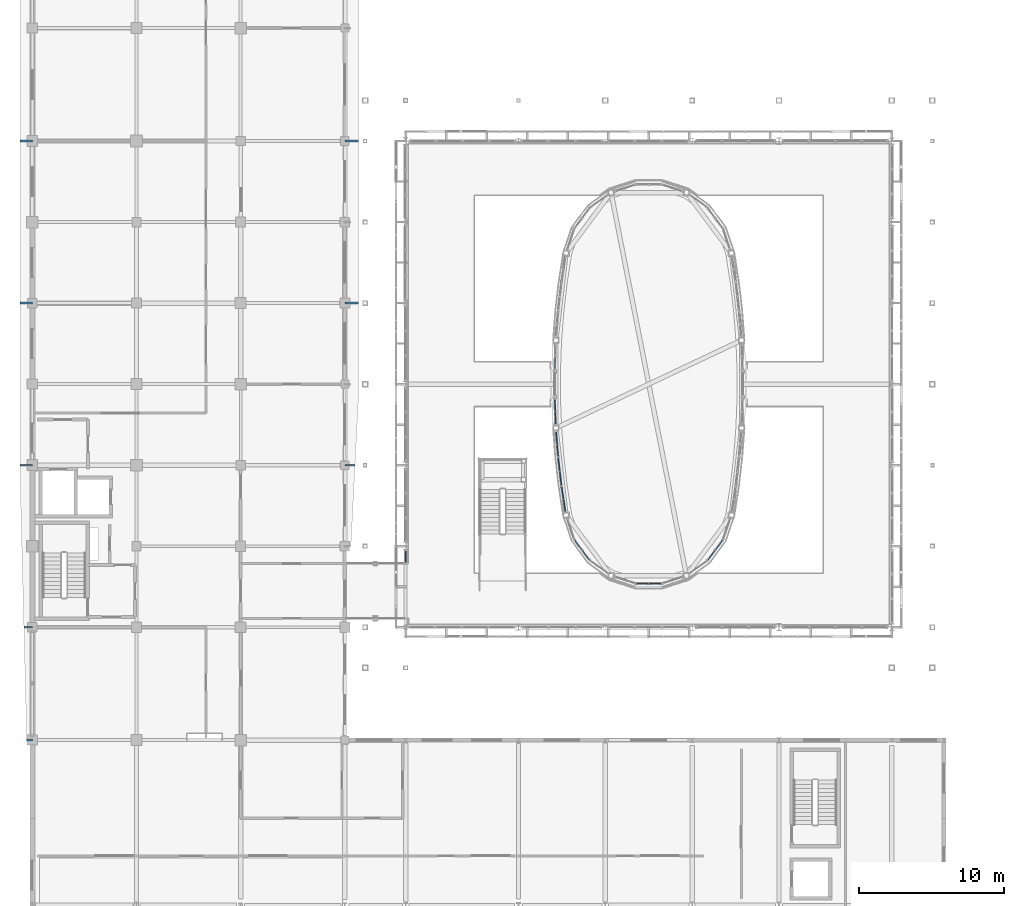
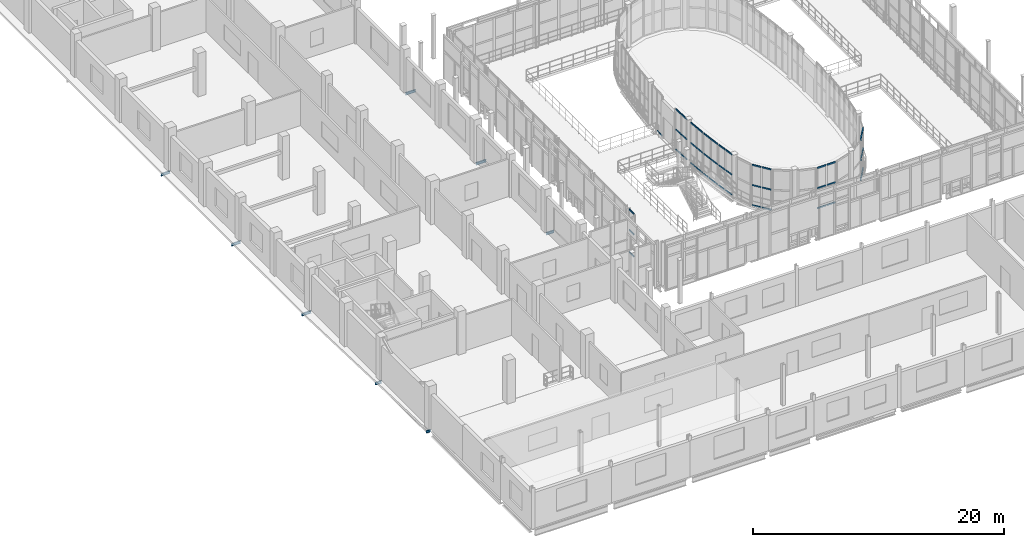
# One storey, part 73 of 121: 46 members, 8 beams, 9 elements without a shape of their own.
"""IFC4 building model written with IfcOpenShell, lengths in metres."""

from ifc_helpers import new_model, si_unit, direction, frame, origin, origin_2d, place, context, subcontext, project, spatial, hollow_rectangle, i_section, extrude, material, layer, layer_set, material_profile, profile_set, type_object, element, aggregate, save


model = new_model("IFC4")

# Units and contexts
model_context = context("Model", 3, precision=1e-05, world=origin(), true_north=direction((0.0, 1.0)))
body_context = subcontext(model_context, "Body", "Model", "MODEL_VIEW")
ifc_project = project(units=[si_unit("LENGTHUNIT", "METRE"), si_unit("AREAUNIT", "SQUARE_METRE"), si_unit("VOLUMEUNIT", "CUBIC_METRE"), si_unit("PLANEANGLEUNIT", "RADIAN"), si_unit("MASSUNIT", "GRAM", prefix="KILO")], contexts=[model_context])

# Site, building, storey
site_placement = place(None, origin())
site = spatial("IfcSite", under=ifc_project, at=site_placement, CompositionType="ELEMENT")
building_placement = place(site_placement, origin())
building = spatial("IfcBuilding", under=site, at=building_placement, Name="Vinh Khe Railworks Police Headquarters", CompositionType="ELEMENT")
storey_placement = place(building_placement, frame((0.0, 0.0, 4.800048828125)))
storey = spatial("IfcBuildingStorey", under=building, at=storey_placement, Name="L01", CompositionType="ELEMENT", Elevation=4.800048828125)

# Beams
ifc_material_1 = material(Name="Steel S355JR", Category="steel")
ifc_material_profile_1 = material_profile(ifc_material_1, i_section(OverallWidth=0.1201171875, OverallDepth=0.239990234375, WebThickness=0.006103515625, FlangeThickness=0.009765625, FilletRadius=0.014892578125, at=origin_2d()), Name="IPE 240")
ifc_profile_set_1 = profile_set([ifc_material_profile_1], Name="Steel S355JR")
beam_type = type_object("IfcBeamType", Name="Monsoon Hood Outrigger IPE 240", PredefinedType="BEAM", material=ifc_profile_set_1)
beam_1_placement = place(storey_placement, frame((0.21142578125, 17.39990234375, -0.360107421875), z_axis=(1.0, 0.0, 0.0), x_axis=(0.0, 1.0, 0.0)))
element("IfcBeam", 1, at=beam_1_placement, inside=storey, type_object=beam_type, Name="Monsoon Sun-Hood Outrigger L01-001", PredefinedType="BEAM", context=body_context, shape_type="SweptSolid", body=[
    extrude(i_section(OverallWidth=0.1201171875, OverallDepth=0.239990234375, WebThickness=0.006103515625, FlangeThickness=0.009765625, FilletRadius=0.014892578125, at=origin_2d()), origin(), (0.0, 0.0, 1.0), 0.388671875),
])
beam_2_placement = place(storey_placement, frame((0.01318359375, 25.199951171875, -0.360107421875), z_axis=(1.0, 0.0, 0.0), x_axis=(0.0, 1.0, 0.0)))
element("IfcBeam", 2, at=beam_2_placement, inside=storey, type_object=beam_type, Name="Monsoon Sun-Hood Outrigger L01-002", PredefinedType="BEAM", context=body_context, shape_type="SweptSolid", body=[
    extrude(i_section(OverallWidth=0.1201171875, OverallDepth=0.239990234375, WebThickness=0.006103515625, FlangeThickness=0.009765625, FilletRadius=0.014892578125, at=origin_2d()), origin(), (0.0, 0.0, 1.0), 0.5869140625),
])
for number, where, z_axis, x_axis, name in (
    (3, (-0.25, 36.39990234375, -0.360107421875), (1.0, 0.0, 0.0), (0.0, 1.0, 0.0), "Monsoon Sun-Hood Outrigger L01-003"),
    (4, (-0.25, 47.60009765625, -0.360107421875), (1.0, 0.0, 0.0), (0.0, 1.0, 0.0), "Monsoon Sun-Hood Outrigger L01-004"),
    (5, (-0.25, 58.800048828125, -0.360107421875), (1.0, 0.0, 0.0), (0.0, 1.0, 0.0), "Monsoon Sun-Hood Outrigger L01-005"),
):
    element("IfcBeam", number, at=place(storey_placement, frame(where, z_axis=z_axis, x_axis=x_axis)), inside=storey, type_object=beam_type, Name=name, PredefinedType="BEAM", context=body_context, shape_type="SweptSolid", body=[
        extrude(i_section(OverallWidth=0.1201171875, OverallDepth=0.239990234375, WebThickness=0.006103515625, FlangeThickness=0.009765625, FilletRadius=0.014892578125, at=origin_2d()), origin(), (0.0, 0.0, 1.0), 0.85009765625),
    ])
beam_3_placement = place(storey_placement, frame((22.199951171875, 36.39990234375, -0.360107421875), z_axis=(1.0, 0.0, 0.0), x_axis=(0.0, 1.0, 0.0)))
element("IfcBeam", 6, at=beam_3_placement, inside=storey, type_object=beam_type, Name="Monsoon Sun-Hood Outrigger L01-013", PredefinedType="BEAM", context=body_context, shape_type="SweptSolid", body=[
    extrude(i_section(OverallWidth=0.1201171875, OverallDepth=0.239990234375, WebThickness=0.006103515625, FlangeThickness=0.009765625, FilletRadius=0.014892578125, at=origin_2d()), origin(), (0.0, 0.0, 1.0), 0.70703125),
])
for number, where, z_axis, x_axis, name in (
    (7, (22.199951171875, 47.60009765625, -0.360107421875), (1.0, 0.0, 0.0), (0.0, 1.0, 0.0), "Monsoon Sun-Hood Outrigger L01-014"),
    (8, (22.199951171875, 58.800048828125, -0.360107421875), (1.0, 0.0, 0.0), (0.0, 1.0, 0.0), "Monsoon Sun-Hood Outrigger L01-015"),
):
    element("IfcBeam", number, at=place(storey_placement, frame(where, z_axis=z_axis, x_axis=x_axis)), inside=storey, type_object=beam_type, Name=name, PredefinedType="BEAM", context=body_context, shape_type="SweptSolid", body=[
        extrude(i_section(OverallWidth=0.1201171875, OverallDepth=0.239990234375, WebThickness=0.006103515625, FlangeThickness=0.009765625, FilletRadius=0.014892578125, at=origin_2d()), origin(), (0.0, 0.0, 1.0), 0.949951171875),
    ])

# Curtain wall, member
ifc_material_2 = material(Name="Anodised aluminium and acoustic laminated glass", Category="aluminium")
ifc_layer_1 = layer(ifc_material_2, 0.159912109375)
ifc_layer_set_1 = layer_set([ifc_layer_1], Name="Anodised aluminium and acoustic laminated glass")
curtain_wall_type_1 = type_object("IfcCurtainWallType", Name="CW-DRUM-CHORD", PredefinedType="USERDEFINED", material=ifc_layer_set_1)
curtain_wall_1_placement = place(storey_placement, origin())
curtain_wall_1 = element("IfcCurtainWall", 9, at=curtain_wall_1_placement, inside=storey, type_object=curtain_wall_type_1, Name="Elliptical Command Drum Glazing L01 Chord 22", ObjectType="DRUM FACADE GLAZING", PredefinedType="USERDEFINED")
ifc_material_3 = material(Name="Anodised aluminium 6063-T6", Category="aluminium")
ifc_material_profile_2 = material_profile(ifc_material_3, hollow_rectangle(XDim=0.06494140625, YDim=0.139892578125, WallThickness=0.00390625, at=origin_2d()), Name="CW-T 65x140x4")
ifc_profile_set_2 = profile_set([ifc_material_profile_2], Name="Anodised aluminium 6063-T6")
member_type_1 = type_object("IfcMemberType", Name="TRAN-CWT-02", PredefinedType="USERDEFINED", material=ifc_profile_set_2)
member_1_placement = place(storey_placement, frame((36.7431640625, 43.877685546875, 0.032470703125), z_axis=(-0.03865521815, -0.999252607757, 0.0), x_axis=(0.999252607757, -0.03865521815, 0.0)))
member_1 = element("IfcMember", 10, at=member_1_placement, type_object=member_type_1, Name="CW-02 transom 2.1", ObjectType="TRANSOM", PredefinedType="USERDEFINED", context=body_context, shape_type="SweptSolid", body=[
    extrude(hollow_rectangle(XDim=0.06494140625, YDim=0.139892578125, WallThickness=0.00390625, at=origin_2d()), origin(), (0.0, 0.0, 1.0), 0.802001953125),
])
aggregate(curtain_wall_1, [member_1])

# Curtain wall, members
curtain_wall_2_placement = place(storey_placement, origin())
curtain_wall_2 = element("IfcCurtainWall", 11, at=curtain_wall_2_placement, inside=storey, type_object=curtain_wall_type_1, Name="Elliptical Command Drum Glazing L01 Chord 24", ObjectType="DRUM FACADE GLAZING", PredefinedType="USERDEFINED")
member_2_placement = place(storey_placement, frame((36.712158203125, 40.923828125, 0.032470703125), z_axis=(0.03865521815, -0.999252607757, 0.0), x_axis=(0.999252607757, 0.03865521815, 0.0)))
member_2 = element("IfcMember", 12, at=member_2_placement, type_object=member_type_1, Name="CW-02 transom 1.1", ObjectType="TRANSOM", PredefinedType="USERDEFINED", context=body_context, shape_type="SweptSolid", body=[
    extrude(hollow_rectangle(XDim=0.06494140625, YDim=0.139892578125, WallThickness=0.00390625, at=origin_2d()), origin(), (0.0, 0.0, 1.0), 0.802001953125),
])
member_3_placement = place(storey_placement, frame((36.712158203125, 40.923828125, 1.98486328125), z_axis=(0.03865521815, -0.999252607757, 0.0), x_axis=(0.999252607757, 0.03865521815, 0.0)))
member_3 = element("IfcMember", 13, at=member_3_placement, type_object=member_type_1, Name="CW-02 transom 1.2", ObjectType="TRANSOM", PredefinedType="USERDEFINED", context=body_context, shape_type="SweptSolid", body=[
    extrude(hollow_rectangle(XDim=0.06494140625, YDim=0.139892578125, WallThickness=0.00390625, at=origin_2d()), origin(), (0.0, 0.0, 1.0), 0.802001953125),
])
member_4_placement = place(storey_placement, frame((36.712158203125, 40.923828125, 3.9375), z_axis=(0.03865521815, -0.999252607757, 0.0), x_axis=(0.999252607757, 0.03865521815, 0.0)))
member_4 = element("IfcMember", 14, at=member_4_placement, type_object=member_type_1, Name="CW-02 transom 1.3", ObjectType="TRANSOM", PredefinedType="USERDEFINED", context=body_context, shape_type="SweptSolid", body=[
    extrude(hollow_rectangle(XDim=0.06494140625, YDim=0.139892578125, WallThickness=0.00390625, at=origin_2d()), origin(), (0.0, 0.0, 1.0), 0.802001953125),
])
member_5_placement = place(storey_placement, frame((36.74560546875, 40.057373046875, 0.032470703125), z_axis=(0.03865521815, -0.999252607757, 0.0), x_axis=(0.999252607757, 0.03865521815, 0.0)))
member_5 = element("IfcMember", 15, at=member_5_placement, type_object=member_type_1, Name="CW-02 transom 2.1", ObjectType="TRANSOM", PredefinedType="USERDEFINED", context=body_context, shape_type="SweptSolid", body=[
    extrude(hollow_rectangle(XDim=0.06494140625, YDim=0.139892578125, WallThickness=0.00390625, at=origin_2d()), origin(), (0.0, 0.0, 1.0), 0.802001953125),
])
member_6_placement = place(storey_placement, frame((36.74560546875, 40.057373046875, 1.98486328125), z_axis=(0.03865521815, -0.999252607757, 0.0), x_axis=(0.999252607757, 0.03865521815, 0.0)))
member_6 = element("IfcMember", 16, at=member_6_placement, type_object=member_type_1, Name="CW-02 transom 2.2", ObjectType="TRANSOM", PredefinedType="USERDEFINED", context=body_context, shape_type="SweptSolid", body=[
    extrude(hollow_rectangle(XDim=0.06494140625, YDim=0.139892578125, WallThickness=0.00390625, at=origin_2d()), origin(), (0.0, 0.0, 1.0), 0.802001953125),
])
member_7_placement = place(storey_placement, frame((36.74560546875, 40.057373046875, 3.9375), z_axis=(0.03865521815, -0.999252607757, 0.0), x_axis=(0.999252607757, 0.03865521815, 0.0)))
member_7 = element("IfcMember", 17, at=member_7_placement, type_object=member_type_1, Name="CW-02 transom 2.3", ObjectType="TRANSOM", PredefinedType="USERDEFINED", context=body_context, shape_type="SweptSolid", body=[
    extrude(hollow_rectangle(XDim=0.06494140625, YDim=0.139892578125, WallThickness=0.00390625, at=origin_2d()), origin(), (0.0, 0.0, 1.0), 0.802001953125),
])
aggregate(curtain_wall_2, [member_2, member_3, member_4, member_5, member_6, member_7])

curtain_wall_3_placement = place(storey_placement, origin())
curtain_wall_3 = element("IfcCurtainWall", 18, at=curtain_wall_3_placement, inside=storey, type_object=curtain_wall_type_1, Name="Elliptical Command Drum Glazing L01 Chord 25", ObjectType="DRUM FACADE GLAZING", PredefinedType="USERDEFINED")
member_8_placement = place(storey_placement, frame((36.809814453125, 38.6806640625, 0.032470703125), z_axis=(0.076999049162, -0.997031166227, 0.0), x_axis=(0.997031166227, 0.076999049162, 0.0)))
member_8 = element("IfcMember", 19, at=member_8_placement, type_object=member_type_1, Name="CW-02 transom 1.1", ObjectType="TRANSOM", PredefinedType="USERDEFINED", context=body_context, shape_type="SweptSolid", body=[
    extrude(hollow_rectangle(XDim=0.06494140625, YDim=0.139892578125, WallThickness=0.00390625, at=origin_2d()), origin(), (0.0, 0.0, 1.0), 0.80224609375),
])
member_9_placement = place(storey_placement, frame((36.809814453125, 38.6806640625, 1.98486328125), z_axis=(0.076999049162, -0.997031166227, 0.0), x_axis=(0.997031166227, 0.076999049162, 0.0)))
member_9 = element("IfcMember", 20, at=member_9_placement, type_object=member_type_1, Name="CW-02 transom 1.2", ObjectType="TRANSOM", PredefinedType="USERDEFINED", context=body_context, shape_type="SweptSolid", body=[
    extrude(hollow_rectangle(XDim=0.06494140625, YDim=0.139892578125, WallThickness=0.00390625, at=origin_2d()), origin(), (0.0, 0.0, 1.0), 0.80224609375),
])
member_10_placement = place(storey_placement, frame((36.809814453125, 38.6806640625, 3.9375), z_axis=(0.076999049162, -0.997031166227, 0.0), x_axis=(0.997031166227, 0.076999049162, 0.0)))
member_10 = element("IfcMember", 21, at=member_10_placement, type_object=member_type_1, Name="CW-02 transom 1.3", ObjectType="TRANSOM", PredefinedType="USERDEFINED", context=body_context, shape_type="SweptSolid", body=[
    extrude(hollow_rectangle(XDim=0.06494140625, YDim=0.139892578125, WallThickness=0.00390625, at=origin_2d()), origin(), (0.0, 0.0, 1.0), 0.80224609375),
])
member_11_placement = place(storey_placement, frame((36.87646484375, 37.81591796875, 0.032470703125), z_axis=(0.077022420865, -0.997029360994, 0.0), x_axis=(0.997029360994, 0.077022420865, 0.0)))
member_11 = element("IfcMember", 22, at=member_11_placement, type_object=member_type_1, Name="CW-02 transom 2.1", ObjectType="TRANSOM", PredefinedType="USERDEFINED", context=body_context, shape_type="SweptSolid", body=[
    extrude(hollow_rectangle(XDim=0.06494140625, YDim=0.139892578125, WallThickness=0.00390625, at=origin_2d()), origin(), (0.0, 0.0, 1.0), 0.802001953125),
])
member_12_placement = place(storey_placement, frame((36.87646484375, 37.81591796875, 1.98486328125), z_axis=(0.077022420865, -0.997029360994, 0.0), x_axis=(0.997029360994, 0.077022420865, 0.0)))
member_12 = element("IfcMember", 23, at=member_12_placement, type_object=member_type_1, Name="CW-02 transom 2.2", ObjectType="TRANSOM", PredefinedType="USERDEFINED", context=body_context, shape_type="SweptSolid", body=[
    extrude(hollow_rectangle(XDim=0.06494140625, YDim=0.139892578125, WallThickness=0.00390625, at=origin_2d()), origin(), (0.0, 0.0, 1.0), 0.802001953125),
])
member_13_placement = place(storey_placement, frame((36.87646484375, 37.81591796875, 3.9375), z_axis=(0.077022420865, -0.997029360994, 0.0), x_axis=(0.997029360994, 0.077022420865, 0.0)))
member_13 = element("IfcMember", 24, at=member_13_placement, type_object=member_type_1, Name="CW-02 transom 2.3", ObjectType="TRANSOM", PredefinedType="USERDEFINED", context=body_context, shape_type="SweptSolid", body=[
    extrude(hollow_rectangle(XDim=0.06494140625, YDim=0.139892578125, WallThickness=0.00390625, at=origin_2d()), origin(), (0.0, 0.0, 1.0), 0.802001953125),
])
aggregate(curtain_wall_3, [member_8, member_9, member_10, member_11, member_12, member_13])

curtain_wall_4_placement = place(storey_placement, origin())
curtain_wall_4 = element("IfcCurtainWall", 25, at=curtain_wall_4_placement, inside=storey, type_object=curtain_wall_type_1, Name="Elliptical Command Drum Glazing L01 Chord 26", ObjectType="DRUM FACADE GLAZING", PredefinedType="USERDEFINED")
member_14_placement = place(storey_placement, frame((36.95068359375, 36.886962890625, 0.032470703125), z_axis=(0.115415034378, -0.993317356055, 0.0), x_axis=(0.993317356055, 0.115415034378, 0.0)))
member_14 = element("IfcMember", 26, at=member_14_placement, type_object=member_type_1, Name="CW-02 transom 1.1", ObjectType="TRANSOM", PredefinedType="USERDEFINED", context=body_context, shape_type="SweptSolid", body=[
    extrude(hollow_rectangle(XDim=0.06494140625, YDim=0.139892578125, WallThickness=0.00390625, at=origin_2d()), origin(), (0.0, 0.0, 1.0), 0.913818359375),
])
member_15_placement = place(storey_placement, frame((36.95068359375, 36.886962890625, 1.98486328125), z_axis=(0.115415034378, -0.993317356055, 0.0), x_axis=(0.993317356055, 0.115415034378, 0.0)))
member_15 = element("IfcMember", 27, at=member_15_placement, type_object=member_type_1, Name="CW-02 transom 1.2", ObjectType="TRANSOM", PredefinedType="USERDEFINED", context=body_context, shape_type="SweptSolid", body=[
    extrude(hollow_rectangle(XDim=0.06494140625, YDim=0.139892578125, WallThickness=0.00390625, at=origin_2d()), origin(), (0.0, 0.0, 1.0), 0.913818359375),
])
member_16_placement = place(storey_placement, frame((36.95068359375, 36.886962890625, 3.9375), z_axis=(0.115415034378, -0.993317356055, 0.0), x_axis=(0.993317356055, 0.115415034378, 0.0)))
member_16 = element("IfcMember", 28, at=member_16_placement, type_object=member_type_1, Name="CW-02 transom 1.3", ObjectType="TRANSOM", PredefinedType="USERDEFINED", context=body_context, shape_type="SweptSolid", body=[
    extrude(hollow_rectangle(XDim=0.06494140625, YDim=0.139892578125, WallThickness=0.00390625, at=origin_2d()), origin(), (0.0, 0.0, 1.0), 0.913818359375),
])
member_17_placement = place(storey_placement, frame((37.063720703125, 35.914794921875, 0.032470703125), z_axis=(0.115151416561, -0.993347950752, 0.0), x_axis=(0.993347950752, 0.115151416561, 0.0)))
member_17 = element("IfcMember", 29, at=member_17_placement, type_object=member_type_1, Name="CW-02 transom 2.1", ObjectType="TRANSOM", PredefinedType="USERDEFINED", context=body_context, shape_type="SweptSolid", body=[
    extrude(hollow_rectangle(XDim=0.06494140625, YDim=0.139892578125, WallThickness=0.00390625, at=origin_2d()), origin(), (0.0, 0.0, 1.0), 0.913818359375),
])
member_18_placement = place(storey_placement, frame((37.063720703125, 35.914794921875, 1.98486328125), z_axis=(0.115151416561, -0.993347950752, 0.0), x_axis=(0.993347950752, 0.115151416561, 0.0)))
member_18 = element("IfcMember", 30, at=member_18_placement, type_object=member_type_1, Name="CW-02 transom 2.2", ObjectType="TRANSOM", PredefinedType="USERDEFINED", context=body_context, shape_type="SweptSolid", body=[
    extrude(hollow_rectangle(XDim=0.06494140625, YDim=0.139892578125, WallThickness=0.00390625, at=origin_2d()), origin(), (0.0, 0.0, 1.0), 0.913818359375),
])
member_19_placement = place(storey_placement, frame((37.063720703125, 35.914794921875, 3.9375), z_axis=(0.115151416561, -0.993347950752, 0.0), x_axis=(0.993347950752, 0.115151416561, 0.0)))
member_19 = element("IfcMember", 31, at=member_19_placement, type_object=member_type_1, Name="CW-02 transom 2.3", ObjectType="TRANSOM", PredefinedType="USERDEFINED", context=body_context, shape_type="SweptSolid", body=[
    extrude(hollow_rectangle(XDim=0.06494140625, YDim=0.139892578125, WallThickness=0.00390625, at=origin_2d()), origin(), (0.0, 0.0, 1.0), 0.913818359375),
])
aggregate(curtain_wall_4, [member_14, member_15, member_16, member_17, member_18, member_19])

curtain_wall_5_placement = place(storey_placement, origin())
curtain_wall_5 = element("IfcCurtainWall", 32, at=curtain_wall_5_placement, inside=storey, type_object=curtain_wall_type_1, Name="Elliptical Command Drum Glazing L01 Chord 27", ObjectType="DRUM FACADE GLAZING", PredefinedType="USERDEFINED")
member_20_placement = place(storey_placement, frame((37.1865234375, 34.87841796875, 0.032470703125), z_axis=(0.153383443285, -0.988166746721, 0.0), x_axis=(0.988166746721, 0.153383443285, 0.0)))
member_20 = element("IfcMember", 33, at=member_20_placement, type_object=member_type_1, Name="CW-02 transom 1.1", ObjectType="TRANSOM", PredefinedType="USERDEFINED", context=body_context, shape_type="SweptSolid", body=[
    extrude(hollow_rectangle(XDim=0.06494140625, YDim=0.139892578125, WallThickness=0.00390625, at=origin_2d()), origin(), (0.0, 0.0, 1.0), 0.80224609375),
])
member_21_placement = place(storey_placement, frame((37.1865234375, 34.87841796875, 1.98486328125), z_axis=(0.153383443285, -0.988166746721, 0.0), x_axis=(0.988166746721, 0.153383443285, 0.0)))
member_21 = element("IfcMember", 34, at=member_21_placement, type_object=member_type_1, Name="CW-02 transom 1.2", ObjectType="TRANSOM", PredefinedType="USERDEFINED", context=body_context, shape_type="SweptSolid", body=[
    extrude(hollow_rectangle(XDim=0.06494140625, YDim=0.139892578125, WallThickness=0.00390625, at=origin_2d()), origin(), (0.0, 0.0, 1.0), 0.80224609375),
])
member_22_placement = place(storey_placement, frame((37.1865234375, 34.87841796875, 3.9375), z_axis=(0.153383443285, -0.988166746721, 0.0), x_axis=(0.988166746721, 0.153383443285, 0.0)))
member_22 = element("IfcMember", 35, at=member_22_placement, type_object=member_type_1, Name="CW-02 transom 1.3", ObjectType="TRANSOM", PredefinedType="USERDEFINED", context=body_context, shape_type="SweptSolid", body=[
    extrude(hollow_rectangle(XDim=0.06494140625, YDim=0.139892578125, WallThickness=0.00390625, at=origin_2d()), origin(), (0.0, 0.0, 1.0), 0.80224609375),
])
member_23_placement = place(storey_placement, frame((37.319580078125, 34.021484375, 0.032470703125), z_axis=(0.153429584149, -0.988159583624, 0.0), x_axis=(0.988159583624, 0.153429584149, 0.0)))
member_23 = element("IfcMember", 36, at=member_23_placement, type_object=member_type_1, Name="CW-02 transom 2.1", ObjectType="TRANSOM", PredefinedType="USERDEFINED", context=body_context, shape_type="SweptSolid", body=[
    extrude(hollow_rectangle(XDim=0.06494140625, YDim=0.139892578125, WallThickness=0.00390625, at=origin_2d()), origin(), (0.0, 0.0, 1.0), 0.802001953125),
])
member_24_placement = place(storey_placement, frame((37.319580078125, 34.021484375, 1.98486328125), z_axis=(0.153429584149, -0.988159583624, 0.0), x_axis=(0.988159583624, 0.153429584149, 0.0)))
member_24 = element("IfcMember", 37, at=member_24_placement, type_object=member_type_1, Name="CW-02 transom 2.2", ObjectType="TRANSOM", PredefinedType="USERDEFINED", context=body_context, shape_type="SweptSolid", body=[
    extrude(hollow_rectangle(XDim=0.06494140625, YDim=0.139892578125, WallThickness=0.00390625, at=origin_2d()), origin(), (0.0, 0.0, 1.0), 0.802001953125),
])
member_25_placement = place(storey_placement, frame((37.319580078125, 34.021484375, 3.9375), z_axis=(0.153429584149, -0.988159583624, 0.0), x_axis=(0.988159583624, 0.153429584149, 0.0)))
member_25 = element("IfcMember", 38, at=member_25_placement, type_object=member_type_1, Name="CW-02 transom 2.3", ObjectType="TRANSOM", PredefinedType="USERDEFINED", context=body_context, shape_type="SweptSolid", body=[
    extrude(hollow_rectangle(XDim=0.06494140625, YDim=0.139892578125, WallThickness=0.00390625, at=origin_2d()), origin(), (0.0, 0.0, 1.0), 0.802001953125),
])
aggregate(curtain_wall_5, [member_20, member_21, member_22, member_23, member_24, member_25])

curtain_wall_6_placement = place(storey_placement, origin())
curtain_wall_6 = element("IfcCurtainWall", 39, at=curtain_wall_6_placement, inside=storey, type_object=curtain_wall_type_1, Name="Elliptical Command Drum Glazing L01 Chord 29", ObjectType="DRUM FACADE GLAZING", PredefinedType="USERDEFINED")
member_26_placement = place(storey_placement, frame((38.104736328125, 31.194091796875, 0.032470703125), z_axis=(0.596475814623, -0.802631050091, 0.0), x_axis=(0.802631050091, 0.596475814623, 0.0)))
member_26 = element("IfcMember", 40, at=member_26_placement, type_object=member_type_1, Name="CW-02 transom 1.1", ObjectType="TRANSOM", PredefinedType="USERDEFINED", context=body_context, shape_type="SweptSolid", body=[
    extrude(hollow_rectangle(XDim=0.06494140625, YDim=0.139892578125, WallThickness=0.00390625, at=origin_2d()), origin(), (0.0, 0.0, 1.0), 0.79931640625),
])
member_27_placement = place(storey_placement, frame((38.104736328125, 31.194091796875, 1.98486328125), z_axis=(0.596475814623, -0.802631050091, 0.0), x_axis=(0.802631050091, 0.596475814623, 0.0)))
member_27 = element("IfcMember", 41, at=member_27_placement, type_object=member_type_1, Name="CW-02 transom 1.2", ObjectType="TRANSOM", PredefinedType="USERDEFINED", context=body_context, shape_type="SweptSolid", body=[
    extrude(hollow_rectangle(XDim=0.06494140625, YDim=0.139892578125, WallThickness=0.00390625, at=origin_2d()), origin(), (0.0, 0.0, 1.0), 0.79931640625),
])
member_28_placement = place(storey_placement, frame((38.104736328125, 31.194091796875, 3.9375), z_axis=(0.596475814623, -0.802631050091, 0.0), x_axis=(0.802631050091, 0.596475814623, 0.0)))
member_28 = element("IfcMember", 42, at=member_28_placement, type_object=member_type_1, Name="CW-02 transom 1.3", ObjectType="TRANSOM", PredefinedType="USERDEFINED", context=body_context, shape_type="SweptSolid", body=[
    extrude(hollow_rectangle(XDim=0.06494140625, YDim=0.139892578125, WallThickness=0.00390625, at=origin_2d()), origin(), (0.0, 0.0, 1.0), 0.79931640625),
])
member_29_placement = place(storey_placement, frame((38.620361328125, 30.500244140625, 0.032470703125), z_axis=(0.596475814623, -0.802631050091, 0.0), x_axis=(0.802631050091, 0.596475814623, 0.0)))
member_29 = element("IfcMember", 43, at=member_29_placement, type_object=member_type_1, Name="CW-02 transom 2.1", ObjectType="TRANSOM", PredefinedType="USERDEFINED", context=body_context, shape_type="SweptSolid", body=[
    extrude(hollow_rectangle(XDim=0.06494140625, YDim=0.139892578125, WallThickness=0.00390625, at=origin_2d()), origin(), (0.0, 0.0, 1.0), 0.79931640625),
])
member_30_placement = place(storey_placement, frame((38.620361328125, 30.500244140625, 1.98486328125), z_axis=(0.596475814623, -0.802631050091, 0.0), x_axis=(0.802631050091, 0.596475814623, 0.0)))
member_30 = element("IfcMember", 44, at=member_30_placement, type_object=member_type_1, Name="CW-02 transom 2.2", ObjectType="TRANSOM", PredefinedType="USERDEFINED", context=body_context, shape_type="SweptSolid", body=[
    extrude(hollow_rectangle(XDim=0.06494140625, YDim=0.139892578125, WallThickness=0.00390625, at=origin_2d()), origin(), (0.0, 0.0, 1.0), 0.79931640625),
])
member_31_placement = place(storey_placement, frame((38.620361328125, 30.500244140625, 3.9375), z_axis=(0.596475814623, -0.802631050091, 0.0), x_axis=(0.802631050091, 0.596475814623, 0.0)))
member_31 = element("IfcMember", 45, at=member_31_placement, type_object=member_type_1, Name="CW-02 transom 2.3", ObjectType="TRANSOM", PredefinedType="USERDEFINED", context=body_context, shape_type="SweptSolid", body=[
    extrude(hollow_rectangle(XDim=0.06494140625, YDim=0.139892578125, WallThickness=0.00390625, at=origin_2d()), origin(), (0.0, 0.0, 1.0), 0.79931640625),
])
aggregate(curtain_wall_6, [member_26, member_27, member_28, member_29, member_30, member_31])

curtain_wall_7_placement = place(storey_placement, origin())
curtain_wall_7 = element("IfcCurtainWall", 46, at=curtain_wall_7_placement, inside=storey, type_object=curtain_wall_type_1, Name="Elliptical Command Drum Glazing L01 Chord 32", ObjectType="DRUM FACADE GLAZING", PredefinedType="USERDEFINED")
member_32_placement = place(storey_placement, frame((42.367919921875, 28.21435546875, 0.032470703125), z_axis=(1.0, 0.0, 0.0), x_axis=(0.0, 1.0, 0.0)))
member_32 = element("IfcMember", 47, at=member_32_placement, type_object=member_type_1, Name="CW-02 transom 1.1", ObjectType="TRANSOM", PredefinedType="USERDEFINED", context=body_context, shape_type="SweptSolid", body=[
    extrude(hollow_rectangle(XDim=0.06494140625, YDim=0.139892578125, WallThickness=0.00390625, at=origin_2d()), origin(), (0.0, 0.0, 1.0), 0.799560546875),
])
member_33_placement = place(storey_placement, frame((42.367919921875, 28.21435546875, 1.98486328125), z_axis=(1.0, 0.0, 0.0), x_axis=(0.0, 1.0, 0.0)))
member_33 = element("IfcMember", 48, at=member_33_placement, type_object=member_type_1, Name="CW-02 transom 1.2", ObjectType="TRANSOM", PredefinedType="USERDEFINED", context=body_context, shape_type="SweptSolid", body=[
    extrude(hollow_rectangle(XDim=0.06494140625, YDim=0.139892578125, WallThickness=0.00390625, at=origin_2d()), origin(), (0.0, 0.0, 1.0), 0.799560546875),
])
member_34_placement = place(storey_placement, frame((42.367919921875, 28.21435546875, 3.9375), z_axis=(1.0, 0.0, 0.0), x_axis=(0.0, 1.0, 0.0)))
member_34 = element("IfcMember", 49, at=member_34_placement, type_object=member_type_1, Name="CW-02 transom 1.3", ObjectType="TRANSOM", PredefinedType="USERDEFINED", context=body_context, shape_type="SweptSolid", body=[
    extrude(hollow_rectangle(XDim=0.06494140625, YDim=0.139892578125, WallThickness=0.00390625, at=origin_2d()), origin(), (0.0, 0.0, 1.0), 0.799560546875),
])
member_35_placement = place(storey_placement, frame((43.232421875, 28.21435546875, 0.032470703125), z_axis=(1.0, 0.0, 0.0), x_axis=(0.0, 1.0, 0.0)))
member_35 = element("IfcMember", 50, at=member_35_placement, type_object=member_type_1, Name="CW-02 transom 2.1", ObjectType="TRANSOM", PredefinedType="USERDEFINED", context=body_context, shape_type="SweptSolid", body=[
    extrude(hollow_rectangle(XDim=0.06494140625, YDim=0.139892578125, WallThickness=0.00390625, at=origin_2d()), origin(), (0.0, 0.0, 1.0), 0.799560546875),
])
member_36_placement = place(storey_placement, frame((43.232421875, 28.21435546875, 1.98486328125), z_axis=(1.0, 0.0, 0.0), x_axis=(0.0, 1.0, 0.0)))
member_36 = element("IfcMember", 51, at=member_36_placement, type_object=member_type_1, Name="CW-02 transom 2.2", ObjectType="TRANSOM", PredefinedType="USERDEFINED", context=body_context, shape_type="SweptSolid", body=[
    extrude(hollow_rectangle(XDim=0.06494140625, YDim=0.139892578125, WallThickness=0.00390625, at=origin_2d()), origin(), (0.0, 0.0, 1.0), 0.799560546875),
])
member_37_placement = place(storey_placement, frame((43.232421875, 28.21435546875, 3.9375), z_axis=(1.0, 0.0, 0.0), x_axis=(0.0, 1.0, 0.0)))
member_37 = element("IfcMember", 52, at=member_37_placement, type_object=member_type_1, Name="CW-02 transom 2.3", ObjectType="TRANSOM", PredefinedType="USERDEFINED", context=body_context, shape_type="SweptSolid", body=[
    extrude(hollow_rectangle(XDim=0.06494140625, YDim=0.139892578125, WallThickness=0.00390625, at=origin_2d()), origin(), (0.0, 0.0, 1.0), 0.799560546875),
])
aggregate(curtain_wall_7, [member_32, member_33, member_34, member_35, member_36, member_37])

curtain_wall_8_placement = place(storey_placement, origin())
curtain_wall_8 = element("IfcCurtainWall", 53, at=curtain_wall_8_placement, inside=storey, type_object=curtain_wall_type_1, Name="Elliptical Command Drum Glazing L01 Chord 35", ObjectType="DRUM FACADE GLAZING", PredefinedType="USERDEFINED")
member_38_placement = place(storey_placement, frame((47.302734375, 29.858642578125, 0.032470703125), z_axis=(0.596475814623, 0.802631050091, 0.0), x_axis=(-0.802631050091, 0.596475814623, 0.0)))
member_38 = element("IfcMember", 54, at=member_38_placement, type_object=member_type_1, Name="CW-02 transom 1.1", ObjectType="TRANSOM", PredefinedType="USERDEFINED", context=body_context, shape_type="SweptSolid", body=[
    extrude(hollow_rectangle(XDim=0.06494140625, YDim=0.139892578125, WallThickness=0.00390625, at=origin_2d()), origin(), (0.0, 0.0, 1.0), 0.79931640625),
])
member_39_placement = place(storey_placement, frame((47.302734375, 29.858642578125, 1.98486328125), z_axis=(0.596475814623, 0.802631050091, 0.0), x_axis=(-0.802631050091, 0.596475814623, 0.0)))
member_39 = element("IfcMember", 55, at=member_39_placement, type_object=member_type_1, Name="CW-02 transom 1.2", ObjectType="TRANSOM", PredefinedType="USERDEFINED", context=body_context, shape_type="SweptSolid", body=[
    extrude(hollow_rectangle(XDim=0.06494140625, YDim=0.139892578125, WallThickness=0.00390625, at=origin_2d()), origin(), (0.0, 0.0, 1.0), 0.79931640625),
])
member_40_placement = place(storey_placement, frame((47.302734375, 29.858642578125, 3.9375), z_axis=(0.596475814623, 0.802631050091, 0.0), x_axis=(-0.802631050091, 0.596475814623, 0.0)))
member_40 = element("IfcMember", 56, at=member_40_placement, type_object=member_type_1, Name="CW-02 transom 1.3", ObjectType="TRANSOM", PredefinedType="USERDEFINED", context=body_context, shape_type="SweptSolid", body=[
    extrude(hollow_rectangle(XDim=0.06494140625, YDim=0.139892578125, WallThickness=0.00390625, at=origin_2d()), origin(), (0.0, 0.0, 1.0), 0.79931640625),
])
member_41_placement = place(storey_placement, frame((47.818359375, 30.552490234375, 0.032470703125), z_axis=(0.596672514384, 0.802484835108, 0.0), x_axis=(-0.802484835108, 0.596672514384, 0.0)))
member_41 = element("IfcMember", 57, at=member_41_placement, type_object=member_type_1, Name="CW-02 transom 2.1", ObjectType="TRANSOM", PredefinedType="USERDEFINED", context=body_context, shape_type="SweptSolid", body=[
    extrude(hollow_rectangle(XDim=0.06494140625, YDim=0.139892578125, WallThickness=0.00390625, at=origin_2d()), origin(), (0.0, 0.0, 1.0), 0.799560546875),
])
member_42_placement = place(storey_placement, frame((47.818359375, 30.552490234375, 1.98486328125), z_axis=(0.596672514384, 0.802484835108, 0.0), x_axis=(-0.802484835108, 0.596672514384, 0.0)))
member_42 = element("IfcMember", 58, at=member_42_placement, type_object=member_type_1, Name="CW-02 transom 2.2", ObjectType="TRANSOM", PredefinedType="USERDEFINED", context=body_context, shape_type="SweptSolid", body=[
    extrude(hollow_rectangle(XDim=0.06494140625, YDim=0.139892578125, WallThickness=0.00390625, at=origin_2d()), origin(), (0.0, 0.0, 1.0), 0.799560546875),
])
member_43_placement = place(storey_placement, frame((47.818359375, 30.552490234375, 3.9375), z_axis=(0.596672514384, 0.802484835108, 0.0), x_axis=(-0.802484835108, 0.596672514384, 0.0)))
member_43 = element("IfcMember", 59, at=member_43_placement, type_object=member_type_1, Name="CW-02 transom 2.3", ObjectType="TRANSOM", PredefinedType="USERDEFINED", context=body_context, shape_type="SweptSolid", body=[
    extrude(hollow_rectangle(XDim=0.06494140625, YDim=0.139892578125, WallThickness=0.00390625, at=origin_2d()), origin(), (0.0, 0.0, 1.0), 0.799560546875),
])
aggregate(curtain_wall_8, [member_38, member_39, member_40, member_41, member_42, member_43])

ifc_material_4 = material(Name="Anodised aluminium and low-iron glass", Category="aluminium")
ifc_layer_2 = layer(ifc_material_4, 0.179931640625)
ifc_layer_set_2 = layer_set([ifc_layer_2], Name="Anodised aluminium and low-iron glass")
curtain_wall_type_2 = type_object("IfcCurtainWallType", Name="CW-CUBE-UNIT", PredefinedType="USERDEFINED", material=ifc_layer_set_2)
curtain_wall_9_placement = place(storey_placement, origin())
curtain_wall_9 = element("IfcCurtainWall", 60, at=curtain_wall_9_placement, inside=storey, type_object=curtain_wall_type_2, Name="Entrance Hall Curtain Wall L01 W-1N", ObjectType="UNITISED GLAZING", PredefinedType="USERDEFINED")
ifc_material_profile_3 = material_profile(ifc_material_3, hollow_rectangle(XDim=0.070068359375, YDim=0.14990234375, WallThickness=0.0048828125, at=origin_2d()), Name="CW-T 70x150x5")
ifc_profile_set_3 = profile_set([ifc_material_profile_3], Name="Anodised aluminium 6063-T6")
member_type_2 = type_object("IfcMemberType", Name="TRAN-CWT-03", PredefinedType="USERDEFINED", material=ifc_profile_set_3)
member_44_placement = place(storey_placement, frame((26.39990234375, 29.68994140625, 0.034912109375), z_axis=(0.0, 1.0, 0.0), x_axis=(-1.0, 0.0, 0.0)))
member_44 = element("IfcMember", 61, at=member_44_placement, type_object=member_type_2, Name="CW-01 transom 1.1", ObjectType="TRANSOM", PredefinedType="USERDEFINED", context=body_context, shape_type="SweptSolid", body=[
    extrude(hollow_rectangle(XDim=0.070068359375, YDim=0.14990234375, WallThickness=0.0048828125, at=origin_2d()), origin(), (0.0, 0.0, 1.0), 0.775146484375),
])
member_45_placement = place(storey_placement, frame((26.39990234375, 29.68994140625, 2.183837890625), z_axis=(0.0, 1.0, 0.0), x_axis=(-1.0, 0.0, 0.0)))
member_45 = element("IfcMember", 62, at=member_45_placement, type_object=member_type_2, Name="CW-01 transom 1.2", ObjectType="TRANSOM", PredefinedType="USERDEFINED", context=body_context, shape_type="SweptSolid", body=[
    extrude(hollow_rectangle(XDim=0.070068359375, YDim=0.14990234375, WallThickness=0.0048828125, at=origin_2d()), origin(), (0.0, 0.0, 1.0), 0.775146484375),
])
member_46_placement = place(storey_placement, frame((26.39990234375, 29.68994140625, 4.1650390625), z_axis=(0.0, 1.0, 0.0), x_axis=(-1.0, 0.0, 0.0)))
member_46 = element("IfcMember", 63, at=member_46_placement, type_object=member_type_2, Name="CW-01 transom 1.3", ObjectType="TRANSOM", PredefinedType="USERDEFINED", context=body_context, shape_type="SweptSolid", body=[
    extrude(hollow_rectangle(XDim=0.070068359375, YDim=0.14990234375, WallThickness=0.0048828125, at=origin_2d()), origin(), (0.0, 0.0, 1.0), 0.775146484375),
])
aggregate(curtain_wall_9, [member_44, member_45, member_46])

save(model, "model.ifc")
